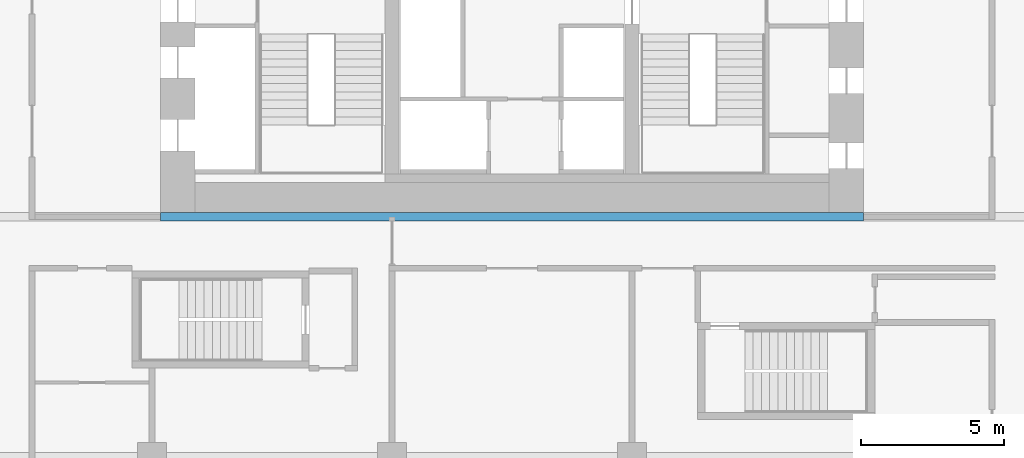
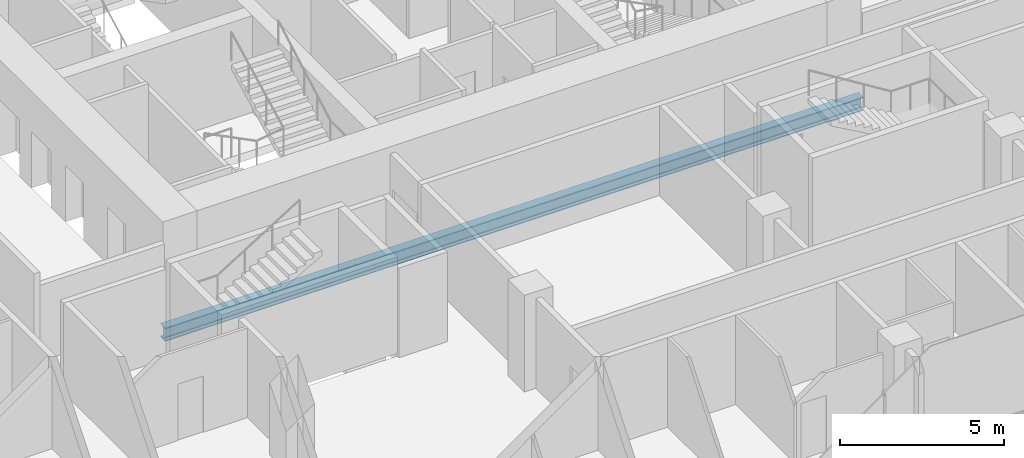
# One storey, part 5 of 26: 1 beam.
"""IFC4 building model written with IfcOpenShell, lengths in metres."""

from ifc_helpers import new_model, si_unit, direction, frame, origin, origin_2d, place, context, subcontext, project, spatial, i_section, extrude, material, material_profile, profile_set, type_object, element, save


model = new_model("IFC4")

# Units and contexts
model_context = context("Model", 3, precision=1e-05, world=origin(), true_north=direction((0.0, 1.0)))
body_context = subcontext(model_context, "Body", "Model", "MODEL_VIEW")
ifc_project = project(units=[si_unit("LENGTHUNIT", "METRE"), si_unit("AREAUNIT", "SQUARE_METRE"), si_unit("VOLUMEUNIT", "CUBIC_METRE"), si_unit("PLANEANGLEUNIT", "RADIAN"), si_unit("MASSUNIT", "GRAM", prefix="KILO")], contexts=[model_context])

# Site, building, storey
site_placement = place(None, origin())
site = spatial("IfcSite", under=ifc_project, at=site_placement, CompositionType="ELEMENT")
building_placement = place(site_placement, origin())
building = spatial("IfcBuilding", under=site, at=building_placement, Name="Marenta Gate Hotel Tower", CompositionType="ELEMENT")
storey_placement = place(building_placement, frame((0.0, 0.0, 72.5)))
storey = spatial("IfcBuildingStorey", under=building, at=storey_placement, Name="L16", CompositionType="ELEMENT", Elevation=72.5)

# Beam
ifc_material = material(Name="Steel S355", Category="steel")
ifc_material_profile = material_profile(ifc_material, i_section(OverallWidth=0.300048828125, OverallDepth=0.5, WebThickness=0.014404296875, FlangeThickness=0.028076171875, FilletRadius=0.027099609375, at=origin_2d()), Name="HEB 500")
ifc_profile_set = profile_set([ifc_material_profile], Name="Steel S355")
beam_type = type_object("IfcBeamType", Name="Girder HEB 500", PredefinedType="BEAM", material=ifc_profile_set)
beam_placement = place(storey_placement, frame((-12.300048828125, 0.0, -0.510009765625), z_axis=(1.0, 0.0, 0.0), x_axis=(0.0, 1.0, 0.0)))
element("IfcBeam", 1, at=beam_placement, inside=storey, type_object=beam_type, Name="L16-GD-10", PredefinedType="BEAM", context=body_context, shape_type="SweptSolid", body=[
    extrude(i_section(OverallWidth=0.300048828125, OverallDepth=0.5, WebThickness=0.014404296875, FlangeThickness=0.028076171875, FilletRadius=0.027099609375, at=origin_2d()), origin(), (0.0, 0.0, 1.0), 24.60009765625),
])

save(model, "model.ifc")
